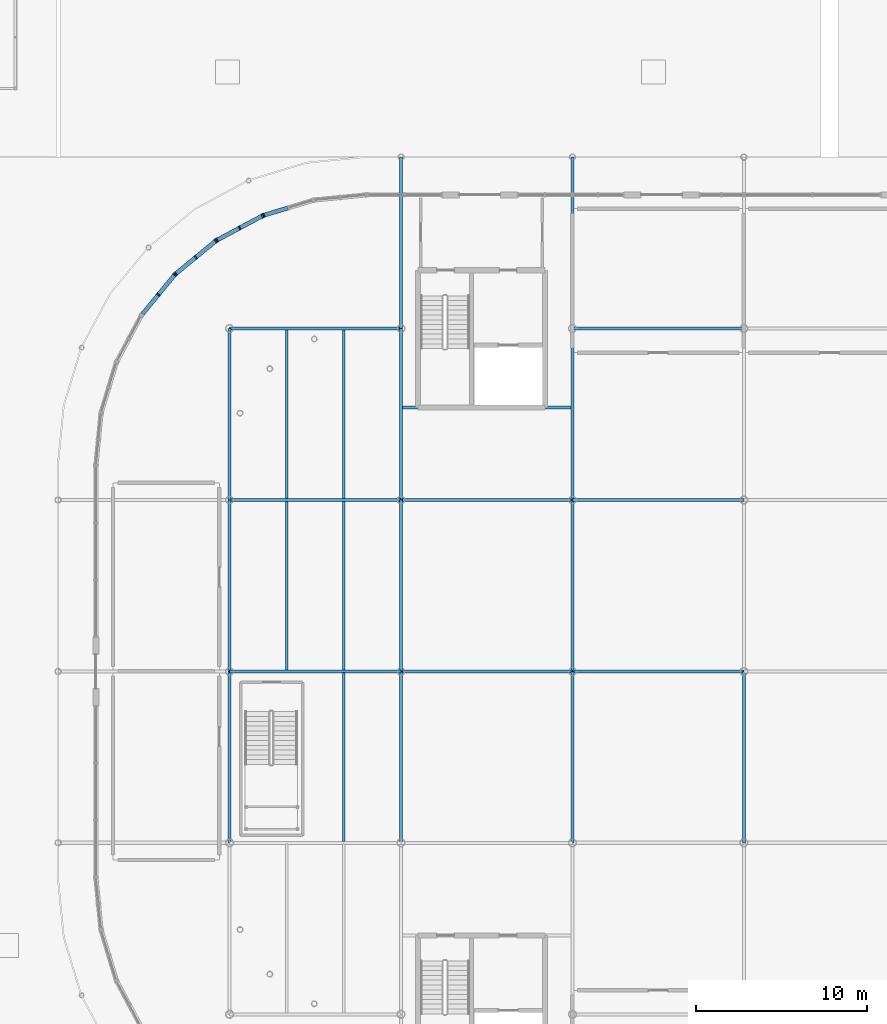
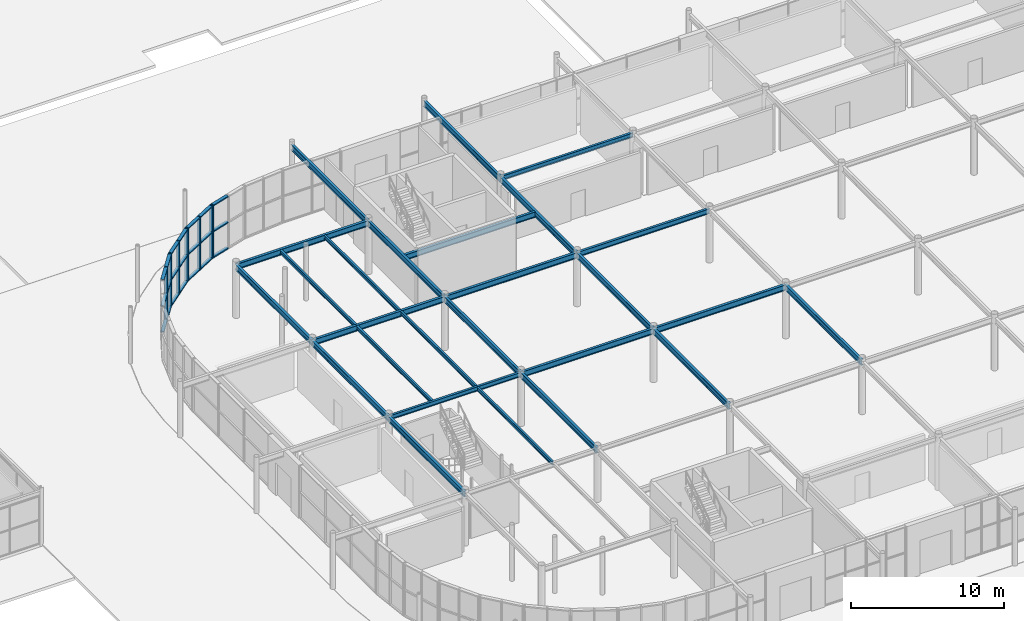
# One storey, part 55 of 119: 30 members, 26 beams, 4 elements without a shape of their own.
"""IFC4 building model written with IfcOpenShell, lengths in metres."""

import ifcopenshell
import ifcopenshell.guid

model = None  # the IFC model being written
_history = None  # IfcOwnerHistory: only IFC2X3 demands one
_inside = {}  # id of a spatial element -> (the spatial element, [elements in it])
_under = {}  # id of a project, library or spatial element -> (it, [spatial elements below it])
_declared = {}  # id of a project -> (the project, [libraries it declares])
_typed = {}  # id of a type object -> (the type object, [elements of that type])
_made_of = {}  # id of a material, layer set ... -> (it, [elements and type objects made of it])


def new_model(schema):
    """Start an empty IFC model of exactly this schema.

    Asked for "IFC4X3", IfcOpenShell would pick the latest addendum, in which some entities
    have other attributes; the version numbers below select the first issue.
    IFC2X3 requires an IfcOwnerHistory on every rooted entity: one is made here for all.
    """
    global model, _history
    if schema == "IFC4X3":
        model = ifcopenshell.file(schema_version=(4, 3, 0, 0))
    else:
        model = ifcopenshell.file(schema=schema)
    _inside.clear()
    _under.clear()
    _declared.clear()
    _typed.clear()
    _made_of.clear()
    _history = None
    if model.schema == "IFC2X3":
        org = make("IfcOrganization", Name="unknown")
        user = make(
            "IfcPersonAndOrganization",
            ThePerson=make("IfcPerson", FamilyName="unknown"),
            TheOrganization=org,
        )
        app = make(
            "IfcApplication",
            ApplicationDeveloper=org,
            Version="unknown",
            ApplicationFullName="unknown",
            ApplicationIdentifier="unknown",
        )
        _history = make(
            "IfcOwnerHistory",
            OwningUser=user,
            OwningApplication=app,
            ChangeAction="ADDED",
            CreationDate=0,
        )
    return model


def make(cls, **values):
    """One entity of the class cls with the attributes given. An attribute that is None is left unset."""
    return model.create_entity(
        cls, **{name: value for name, value in values.items() if value is not None}
    )


def rooted(cls, **values):
    """An entity with a GlobalId (a new one), such as an element, a storey or a relation."""
    return make(cls, GlobalId=ifcopenshell.guid.new(), OwnerHistory=_history, **values)


def si_unit(unit_type, name, prefix=None):
    """IfcSIUnit, for example si_unit("LENGTHUNIT", "METRE", prefix="MILLI")."""
    return make("IfcSIUnit", UnitType=unit_type, Prefix=prefix, Name=name)


def derived_unit(unit_type, elements):
    """IfcDerivedUnit: a product of units, each with its exponent."""
    return make(
        "IfcDerivedUnit",
        Elements=[
            make("IfcDerivedUnitElement", Unit=unit, Exponent=power)
            for unit, power in elements
        ],
        UnitType=unit_type,
    )


def assignment(units):
    """IfcUnitAssignment: the units of a project."""
    return None if units is None else make("IfcUnitAssignment", Units=units)


def point(xyz):
    """IfcCartesianPoint."""
    return None if xyz is None else make("IfcCartesianPoint", Coordinates=xyz)


def direction(xyz):
    """IfcDirection."""
    return None if xyz is None else make("IfcDirection", DirectionRatios=xyz)


def frame(location, z_axis=None, x_axis=None):
    """IfcAxis2Placement3D, a coordinate frame: its origin and axes. An axis left out is left unset."""
    return make(
        "IfcAxis2Placement3D",
        Location=point(location),
        Axis=direction(z_axis),
        RefDirection=direction(x_axis),
    )


def frame_2d(location, x_axis=None):
    """IfcAxis2Placement2D, a coordinate frame in the plane: its origin and x axis."""
    return make(
        "IfcAxis2Placement2D", Location=point(location), RefDirection=direction(x_axis)
    )


def origin():
    """The frame at (0, 0, 0) with its axes left unset."""
    return frame((0.0, 0.0, 0.0))


def origin_2d_with_axis():
    """The frame at (0, 0) in the plane with the x axis (1, 0) written out."""
    return frame_2d((0.0, 0.0), x_axis=(1.0, 0.0))


def place(relative_to, where):
    """IfcLocalPlacement: puts the frame where relative to a parent placement (None: the world)."""
    return make(
        "IfcLocalPlacement", PlacementRelTo=relative_to, RelativePlacement=where
    )


def context(
    kind, dimensions, precision=None, world=None, true_north=None, identifier=None
):
    """IfcGeometricRepresentationContext, for example the 3D "Model" context."""
    return make(
        "IfcGeometricRepresentationContext",
        ContextIdentifier=identifier,
        ContextType=kind,
        CoordinateSpaceDimension=dimensions,
        Precision=precision,
        WorldCoordinateSystem=world,
        TrueNorth=true_north,
    )


def subcontext(parent, identifier, kind, view, scale=None):
    """IfcGeometricRepresentationSubContext, for example "Body" below "Model"."""
    return make(
        "IfcGeometricRepresentationSubContext",
        ContextIdentifier=identifier,
        ContextType=kind,
        ParentContext=parent,
        TargetScale=scale,
        TargetView=view,
    )


def project(units=None, contexts=None):
    """IfcProject with its units and contexts."""
    return rooted(
        "IfcProject",
        Name="project",
        RepresentationContexts=contexts,
        UnitsInContext=assignment(units),
    )


def spatial(cls, under=None, at=None, **own):
    """A site, building, storey or space (cls), placed at a placement, below another one or the project."""
    s = rooted(cls, ObjectPlacement=at, **own)
    if under is not None:
        _under.setdefault(under.id(), (under, []))[1].append(s)
    return s


def profile(cls, at=None, kind="AREA", **sizes):
    """A parametric profile (cls). Its sizes go by their IFC names, for example OverallWidth=200.0."""
    return make(cls, ProfileType=kind, Position=at, **sizes)


def rectangle(**sizes):
    """IfcRectangleProfileDef."""
    return profile("IfcRectangleProfileDef", **sizes)


def i_section(**sizes):
    """IfcIShapeProfileDef."""
    return profile("IfcIShapeProfileDef", **sizes)


def extrude(swept, where, along, depth):
    """IfcExtrudedAreaSolid: the profile swept, set in the frame where, extruded along a direction by depth."""
    return make(
        "IfcExtrudedAreaSolid",
        SweptArea=swept,
        Position=where,
        ExtrudedDirection=direction(along),
        Depth=depth,
    )


def shape(context_of_items, identifier, shape_type, items):
    """IfcShapeRepresentation: the items that make up one representation, for example the "Body"."""
    return make(
        "IfcShapeRepresentation",
        ContextOfItems=context_of_items,
        RepresentationIdentifier=identifier,
        RepresentationType=shape_type,
        Items=items,
    )


def material(Name=None, Category=None):
    """IfcMaterial."""
    return make("IfcMaterial", Name=Name, Category=Category)


def material_profile(
    of_material, cross_section, Name=None, Category=None, Priority=None
):
    """IfcMaterialProfile: a cross section and its material."""
    return make(
        "IfcMaterialProfile",
        Name=Name,
        Material=of_material,
        Profile=cross_section,
        Priority=Priority,
        Category=Category,
    )


def profile_set(profiles, Name=None, composite=None):
    """IfcMaterialProfileSet."""
    return make(
        "IfcMaterialProfileSet",
        Name=Name,
        MaterialProfiles=profiles,
        CompositeProfile=composite,
    )


def made_of(thing, what):
    """Note that an element or type object is made of a material, layer set ...; save() writes the relation."""
    if what is not None:
        _made_of.setdefault(what.id(), (what, []))[1].append(thing)
    return thing


def type_object(cls, material=None, **own):
    """A type object (cls), such as IfcWallType, which elements share."""
    return made_of(rooted(cls, **own), material)


def element(
    cls,
    number,
    at=None,
    inside=None,
    cuts=None,
    type_object=None,
    material=None,
    context=None,
    identifier="Body",
    shape_type=None,
    held_by="IfcProductDefinitionShape",
    body=None,
    shapes=None,
    **own,
):
    """One element of the class cls, such as IfcWall. Its Tag is "e" and its number.

    at: its placement. inside: the storey or other place that contains it. cuts: it is an
    opening in that element (IfcRelVoidsElement). A single representation is given by context,
    identifier, shape_type and body (its items); several are given by shapes. held_by: the class
    of the entity that holds the representations. save() writes the other relations.
    """
    e = rooted(cls, Tag="e%d" % number, ObjectPlacement=at, **own)
    if body is not None:
        shapes = [shape(context, identifier, shape_type, body)]
    if shapes is not None:
        e.Representation = make(held_by, Representations=shapes)
    if inside is not None:
        _inside.setdefault(inside.id(), (inside, []))[1].append(e)
    if cuts is not None:
        rooted(
            "IfcRelVoidsElement", RelatingBuildingElement=cuts, RelatedOpeningElement=e
        )
    if type_object is not None:
        _typed.setdefault(type_object.id(), (type_object, []))[1].append(e)
    return made_of(e, material)


def aggregate(whole, parts):
    """IfcRelAggregates: a whole, such as a stair, and the parts it consists of."""
    return rooted("IfcRelAggregates", RelatingObject=whole, RelatedObjects=parts)


def save(model, path):
    """Write the relations noted so far, then the file.

    IfcRelAggregates (storeys below a building ...), IfcRelContainedInSpatialStructure (elements
    in a storey), IfcRelDefinesByType, IfcRelAssociatesMaterial and IfcRelDeclares: one each for
    every whole, place, type object, material and project.
    """
    for whole, parts in _under.values():
        aggregate(whole, parts)
    for where, things in _inside.values():
        rooted(
            "IfcRelContainedInSpatialStructure",
            RelatedElements=things,
            RelatingStructure=where,
        )
    for kind, things in _typed.values():
        rooted("IfcRelDefinesByType", RelatedObjects=things, RelatingType=kind)
    for what, things in _made_of.values():
        rooted("IfcRelAssociatesMaterial", RelatedObjects=things, RelatingMaterial=what)
    for by, libraries in _declared.values():
        rooted("IfcRelDeclares", RelatingContext=by, RelatedDefinitions=libraries)
    model.write(path)


model = new_model("IFC4")

# Units and contexts
model_context = context("Model", 3, precision=1e-05, world=origin(), true_north=direction((0.0, 1.0)))
body_context = subcontext(model_context, "Body", "Model", "MODEL_VIEW")
ifc_project = project(units=[si_unit("LENGTHUNIT", "METRE"), si_unit("AREAUNIT", "SQUARE_METRE"), si_unit("VOLUMEUNIT", "CUBIC_METRE"), si_unit("PLANEANGLEUNIT", "RADIAN"), si_unit("MASSUNIT", "GRAM", prefix="KILO"), derived_unit("THERMALTRANSMITTANCEUNIT", [(si_unit("POWERUNIT", "WATT"), 1), (si_unit("LENGTHUNIT", "METRE"), -2), (si_unit("THERMODYNAMICTEMPERATUREUNIT", "KELVIN"), -1)])], contexts=[model_context])

# Site, building, storey
site_placement = place(None, origin())
site = spatial("IfcSite", under=ifc_project, at=site_placement, CompositionType="ELEMENT")
building_placement = place(site_placement, origin())
building = spatial("IfcBuilding", under=site, at=building_placement, Name="Cinnabar Yard Market Hall", CompositionType="ELEMENT")
storey_placement = place(building_placement, origin())
storey = spatial("IfcBuildingStorey", under=building, at=storey_placement, Name="L00", CompositionType="ELEMENT", Elevation=0.0)

# Beams
ifc_material_1 = material(Name="Steel Grade 300 (300 MPa)", Category="steel")
ifc_material_profile_1 = material_profile(ifc_material_1, i_section(OverallWidth=0.19091796875, OverallDepth=0.46044921875, WebThickness=0.010009765625, FlangeThickness=0.01611328125, FilletRadius=0.011474609375, at=origin_2d_with_axis()), Name="460UB82.1")
ifc_profile_set_1 = profile_set([ifc_material_profile_1], Name="Steel Grade 300 (300 MPa)")
beam_type_1 = type_object("IfcBeamType", Name="BM-B04", PredefinedType="BEAM", material=ifc_profile_set_1)
for number, where, z_axis, x_axis, name in (
    (1, (76.0, 64.0, 4.009765625), (1.0, 0.0, 0.0), (0.0, 1.0, 0.0), "L00 Gallery Girder X 00150"),
    (2, (86.0, 54.0, 4.009765625), (1.0, 0.0, 0.0), (0.0, 1.0, 0.0), "L00 Gallery Girder X 00153"),
    (3, (96.0, 44.0, 4.009765625), (1.0, 0.0, 0.0), (0.0, 1.0, 0.0), "L00 Gallery Girder X 00156"),
):
    element("IfcBeam", number, at=place(storey_placement, frame(where, z_axis=z_axis, x_axis=x_axis)), inside=storey, type_object=beam_type_1, Name=name, PredefinedType="BEAM", context=body_context, shape_type="SweptSolid", body=[
        extrude(i_section(OverallWidth=0.19091796875, OverallDepth=0.46044921875, WebThickness=0.010009765625, FlangeThickness=0.01611328125, FilletRadius=0.011474609375, at=origin_2d_with_axis()), origin(), (0.0, 0.0, 1.0), 10.0),
    ])
ifc_material_profile_2 = material_profile(ifc_material_1, i_section(OverallWidth=0.18994140625, OverallDepth=0.453857421875, WebThickness=0.008544921875, FlangeThickness=0.0126953125, FilletRadius=0.011474609375, at=origin_2d_with_axis()), Name="460UB67.1")
ifc_profile_set_2 = profile_set([ifc_material_profile_2], Name="Steel Grade 300 (300 MPa)")
beam_type_2 = type_object("IfcBeamType", Name="BM-B05", PredefinedType="BEAM", material=ifc_profile_set_2)
beam_1_placement = place(storey_placement, frame((86.080078125, 59.39990234375, 4.01318359375), z_axis=(1.0, 0.0, 0.0), x_axis=(0.0, 1.0, 0.0)))
element("IfcBeam", 4, at=beam_1_placement, inside=storey, type_object=beam_type_2, Name="L00 Core Trimmer Girder 00138", PredefinedType="BEAM", context=body_context, shape_type="SweptSolid", body=[
    extrude(i_section(OverallWidth=0.18994140625, OverallDepth=0.453857421875, WebThickness=0.008544921875, FlangeThickness=0.0126953125, FilletRadius=0.011474609375, at=origin_2d_with_axis()), origin(), (0.0, 0.0, 1.0), 9.83984375),
])
for number, where, z_axis, x_axis, name in (
    (5, (76.0, 34.0, 4.01318359375), (0.0, 1.0, 0.0), (-1.0, 0.0, 0.0), "L00 Gallery Girder Y 00205"),
    (6, (76.0, 44.0, 4.01318359375), (0.0, 1.0, 0.0), (-1.0, 0.0, 0.0), "L00 Gallery Girder Y 00207"),
    (7, (76.0, 54.0, 4.01318359375), (0.0, 1.0, 0.0), (-1.0, 0.0, 0.0), "L00 Gallery Girder Y 00210"),
    (8, (86.0, 34.0, 4.01318359375), (0.0, 1.0, 0.0), (-1.0, 0.0, 0.0), "L00 Gallery Girder Y 00214"),
    (9, (86.0, 44.0, 4.01318359375), (0.0, 1.0, 0.0), (-1.0, 0.0, 0.0), "L00 Gallery Girder Y 00215"),
    (10, (86.0, 54.0, 4.01318359375), (0.0, 1.0, 0.0), (-1.0, 0.0, 0.0), "L00 Gallery Girder Y 00216"),
    (11, (96.0, 34.0, 4.01318359375), (0.0, 1.0, 0.0), (-1.0, 0.0, 0.0), "L00 Gallery Girder Y 00218"),
    (12, (96.0, 44.0, 4.01318359375), (0.0, 1.0, 0.0), (-1.0, 0.0, 0.0), "L00 Gallery Girder Y 00219"),
    (13, (96.0, 54.0, 4.01318359375), (0.0, 1.0, 0.0), (-1.0, 0.0, 0.0), "L00 Gallery Girder Y 00220"),
    (14, (106.0, 34.0, 4.01318359375), (0.0, 1.0, 0.0), (-1.0, 0.0, 0.0), "L00 Gallery Girder Y 00222"),
):
    element("IfcBeam", number, at=place(storey_placement, frame(where, z_axis=z_axis, x_axis=x_axis)), inside=storey, type_object=beam_type_2, Name=name, PredefinedType="BEAM", context=body_context, shape_type="SweptSolid", body=[
        extrude(i_section(OverallWidth=0.18994140625, OverallDepth=0.453857421875, WebThickness=0.008544921875, FlangeThickness=0.0126953125, FilletRadius=0.011474609375, at=origin_2d_with_axis()), origin(), (0.0, 0.0, 1.0), 10.0),
    ])
ifc_material_profile_3 = material_profile(ifc_material_1, i_section(OverallWidth=0.18994140625, OverallDepth=0.453857421875, WebThickness=0.008544921875, FlangeThickness=0.0126953125, FilletRadius=0.011474609375, at=origin_2d_with_axis()), Name="460UB67.1")
ifc_profile_set_3 = profile_set([ifc_material_profile_3], Name="Steel Grade 300 (300 MPa)")
beam_type_3 = type_object("IfcBeamType", Name="BM-B05E", PredefinedType="BEAM", material=ifc_profile_set_3)
for number, where, z_axis, x_axis, name in (
    (15, (86.0, 64.0, 4.01318359375), (0.0, 1.0, 0.0), (-1.0, 0.0, 0.0), "L00 Gallery North Tie 00183"),
    (16, (96.0, 64.0, 4.01318359375), (0.0, 1.0, 0.0), (-1.0, 0.0, 0.0), "L00 Gallery North Tie 00185"),
):
    element("IfcBeam", number, at=place(storey_placement, frame(where, z_axis=z_axis, x_axis=x_axis)), inside=storey, type_object=beam_type_3, Name=name, PredefinedType="BEAM", context=body_context, shape_type="SweptSolid", body=[
        extrude(i_section(OverallWidth=0.18994140625, OverallDepth=0.453857421875, WebThickness=0.008544921875, FlangeThickness=0.0126953125, FilletRadius=0.011474609375, at=origin_2d_with_axis()), origin(), (0.0, 0.0, 1.0), 10.0),
    ])
ifc_material_profile_4 = material_profile(ifc_material_1, i_section(OverallWidth=0.177978515625, OverallDepth=0.402587890625, WebThickness=0.007568359375, FlangeThickness=0.010986328125, FilletRadius=0.011474609375, at=origin_2d_with_axis()), Name="410UB53.7")
ifc_profile_set_4 = profile_set([ifc_material_profile_4], Name="Steel Grade 300 (300 MPa)")
beam_type_4 = type_object("IfcBeamType", Name="BM-B09", PredefinedType="BEAM", material=ifc_profile_set_4)
beam_2_placement = place(storey_placement, frame((96.0, 54.0, 4.038818359375), z_axis=(1.0, 0.0, 0.0), x_axis=(0.0, 1.0, 0.0)))
element("IfcBeam", 17, at=beam_2_placement, inside=storey, type_object=beam_type_4, Name="L00 Gallery Girder X 00157", PredefinedType="BEAM", context=body_context, shape_type="SweptSolid", body=[
    extrude(i_section(OverallWidth=0.177978515625, OverallDepth=0.402587890625, WebThickness=0.007568359375, FlangeThickness=0.010986328125, FilletRadius=0.011474609375, at=origin_2d_with_axis()), origin(), (0.0, 0.0, 1.0), 10.0),
])
ifc_material_profile_5 = material_profile(ifc_material_1, i_section(OverallWidth=0.1708984375, OverallDepth=0.355712890625, WebThickness=0.00732421875, FlangeThickness=0.011474609375, FilletRadius=0.011474609375, at=origin_2d_with_axis()), Name="360UB50.7")
ifc_profile_set_5 = profile_set([ifc_material_profile_5], Name="Steel Grade 300 (300 MPa)")
beam_type_5 = type_object("IfcBeamType", Name="BM-B10", PredefinedType="BEAM", material=ifc_profile_set_5)
beam_3_placement = place(storey_placement, frame((96.0, 64.0, 4.062255859375), z_axis=(1.0, 0.0, 0.0), x_axis=(0.0, 1.0, 0.0)))
element("IfcBeam", 18, at=beam_3_placement, inside=storey, type_object=beam_type_5, Name="L00 Gallery Girder X 00158", PredefinedType="BEAM", context=body_context, shape_type="SweptSolid", body=[
    extrude(i_section(OverallWidth=0.1708984375, OverallDepth=0.355712890625, WebThickness=0.00732421875, FlangeThickness=0.011474609375, FilletRadius=0.011474609375, at=origin_2d_with_axis()), origin(), (0.0, 0.0, 1.0), 10.0),
])
ifc_material_profile_6 = material_profile(ifc_material_1, i_section(OverallWidth=0.1708984375, OverallDepth=0.35205078125, WebThickness=0.0068359375, FlangeThickness=0.009765625, FilletRadius=0.011474609375, at=origin_2d_with_axis()), Name="360UB44.7")
ifc_profile_set_6 = profile_set([ifc_material_profile_6], Name="Steel Grade 300 (300 MPa)")
beam_type_6 = type_object("IfcBeamType", Name="BM-B11", PredefinedType="BEAM", material=ifc_profile_set_6)
beam_4_placement = place(storey_placement, frame((76.0, 44.0, 4.06396484375), z_axis=(1.0, 0.0, 0.0), x_axis=(0.0, 1.0, 0.0)))
element("IfcBeam", 19, at=beam_4_placement, inside=storey, type_object=beam_type_6, Name="L00 Gallery Girder X 00148", PredefinedType="BEAM", context=body_context, shape_type="SweptSolid", body=[
    extrude(i_section(OverallWidth=0.1708984375, OverallDepth=0.35205078125, WebThickness=0.0068359375, FlangeThickness=0.009765625, FilletRadius=0.011474609375, at=origin_2d_with_axis()), origin(), (0.0, 0.0, 1.0), 10.0),
])
ifc_material_profile_7 = material_profile(ifc_material_1, i_section(OverallWidth=0.18994140625, OverallDepth=0.453857421875, WebThickness=0.008544921875, FlangeThickness=0.0126953125, FilletRadius=0.011474609375, at=origin_2d_with_axis()), Name="460UB67.1")
ifc_profile_set_7 = profile_set([ifc_material_profile_7], Name="Steel Grade 300 (300 MPa)")
beam_type_7 = type_object("IfcBeamType", Name="BM-B14", PredefinedType="BEAM", material=ifc_profile_set_7)
for number, where, z_axis, x_axis, name in (
    (20, (76.0, 54.0, 4.01318359375), (1.0, 0.0, 0.0), (0.0, 1.0, 0.0), "L00 Gallery Girder X 00149"),
    (21, (86.0, 44.0, 4.01318359375), (1.0, 0.0, 0.0), (0.0, 1.0, 0.0), "L00 Gallery Girder X 00152"),
):
    element("IfcBeam", number, at=place(storey_placement, frame(where, z_axis=z_axis, x_axis=x_axis)), inside=storey, type_object=beam_type_7, Name=name, PredefinedType="BEAM", context=body_context, shape_type="SweptSolid", body=[
        extrude(i_section(OverallWidth=0.18994140625, OverallDepth=0.453857421875, WebThickness=0.008544921875, FlangeThickness=0.0126953125, FilletRadius=0.011474609375, at=origin_2d_with_axis()), origin(), (0.0, 0.0, 1.0), 10.0),
    ])
ifc_material_profile_8 = material_profile(ifc_material_1, i_section(OverallWidth=0.14892578125, OverallDepth=0.298095703125, WebThickness=0.005615234375, FlangeThickness=0.008056640625, FilletRadius=0.0087890625, at=origin_2d_with_axis()), Name="310UB32.0")
ifc_profile_set_8 = profile_set([ifc_material_profile_8], Name="Steel Grade 300 (300 MPa)")
beam_type_8 = type_object("IfcBeamType", Name="BM-J02", PredefinedType="JOIST", material=ifc_profile_set_8)
for number, where, z_axis, x_axis, name in (
    (22, (82.669921875, 34.074951171875, 4.091064453125), (0.0, 1.0, 0.0), (-1.0, 0.0, 0.0), "L00 Gallery Joist 00206"),
    (23, (79.330078125, 44.074951171875, 4.091064453125), (0.0, 1.0, 0.0), (-1.0, 0.0, 0.0), "L00 Gallery Joist 00208"),
    (24, (82.669921875, 44.074951171875, 4.091064453125), (0.0, 1.0, 0.0), (-1.0, 0.0, 0.0), "L00 Gallery Joist 00209"),
    (25, (79.330078125, 54.074951171875, 4.091064453125), (0.0, 1.0, 0.0), (-1.0, 0.0, 0.0), "L00 Gallery Joist 00211"),
    (26, (82.669921875, 54.074951171875, 4.091064453125), (0.0, 1.0, 0.0), (-1.0, 0.0, 0.0), "L00 Gallery Joist 00212"),
):
    element("IfcBeam", number, at=place(storey_placement, frame(where, z_axis=z_axis, x_axis=x_axis)), inside=storey, type_object=beam_type_8, Name=name, PredefinedType="JOIST", context=body_context, shape_type="SweptSolid", body=[
        extrude(i_section(OverallWidth=0.14892578125, OverallDepth=0.298095703125, WebThickness=0.005615234375, FlangeThickness=0.008056640625, FilletRadius=0.0087890625, at=origin_2d_with_axis()), origin(), (0.0, 0.0, 1.0), 9.85009765625),
    ])

# Curtain wall, member
ifc_material_2 = material(Name="Anodised bronze aluminium curved-chord facade", Category="aluminium")
curtain_wall_type = type_object("IfcCurtainWallType", Name="CW-CWC031x42", PredefinedType="NOTDEFINED", material=ifc_material_2)
curtain_wall_1_placement = place(storey_placement, origin())
curtain_wall_1 = element("IfcCurtainWall", 27, at=curtain_wall_1_placement, inside=storey, type_object=curtain_wall_type, Name="Corner NW Chord 2 L00", PredefinedType="NOTDEFINED")
ifc_material_3 = material(Name="Anodised bronze aluminium", Category="aluminium")
ifc_material_profile_9 = material_profile(ifc_material_3, rectangle(XDim=0.239990234375, YDim=0.090087890625, at=origin_2d_with_axis()), Name="MUL-CWC")
ifc_profile_set_9 = profile_set([ifc_material_profile_9], Name="Anodised bronze aluminium")
member_type_1 = type_object("IfcMemberType", Name="CWM-CWC", PredefinedType="MULLION", material=ifc_profile_set_9)
member_1_placement = place(storey_placement, frame((77.99658203125, 70.6103515625, 0.0), z_axis=(0.0, 0.0, 1.0), x_axis=(0.290278891325, -0.956942090856, 0.0)))
member_1 = element("IfcMember", 28, at=member_1_placement, type_object=member_type_1, Name="CWC031x42 mullion 3", PredefinedType="MULLION", context=body_context, shape_type="SweptSolid", body=[
    extrude(rectangle(XDim=0.239990234375, YDim=0.090087890625, at=origin_2d_with_axis()), origin(), (0.0, 0.0, 1.0), 4.239990234375),
])

# Curtain wall, members
curtain_wall_2_placement = place(storey_placement, origin())
curtain_wall_2 = element("IfcCurtainWall", 29, at=curtain_wall_2_placement, inside=storey, type_object=curtain_wall_type, Name="Corner NW Chord 3 L00", PredefinedType="NOTDEFINED")
member_2_placement = place(storey_placement, frame((77.913818359375, 70.576171875, 0.0), z_axis=(0.0, 0.0, 1.0), x_axis=(0.471404114786, -0.881917320707, 0.0)))
member_2 = element("IfcMember", 30, at=member_2_placement, type_object=member_type_1, Name="CWC031x42 mullion 1", PredefinedType="MULLION", context=body_context, shape_type="SweptSolid", body=[
    extrude(rectangle(XDim=0.239990234375, YDim=0.090087890625, at=origin_2d_with_axis()), origin(), (0.0, 0.0, 1.0), 4.239990234375),
])
member_3_placement = place(storey_placement, frame((76.587890625, 69.8671875, 0.0), z_axis=(0.0, 0.0, 1.0), x_axis=(0.471404114786, -0.881917320707, 0.0)))
member_3 = element("IfcMember", 31, at=member_3_placement, type_object=member_type_1, Name="CWC031x42 mullion 2", PredefinedType="MULLION", context=body_context, shape_type="SweptSolid", body=[
    extrude(rectangle(XDim=0.239990234375, YDim=0.090087890625, at=origin_2d_with_axis()), origin(), (0.0, 0.0, 1.0), 4.239990234375),
])
member_4_placement = place(storey_placement, frame((75.26171875, 69.158447265625, 0.0), z_axis=(0.0, 0.0, 1.0), x_axis=(0.471404114786, -0.881917320707, 0.0)))
member_4 = element("IfcMember", 32, at=member_4_placement, type_object=member_type_1, Name="CWC031x42 mullion 3", PredefinedType="MULLION", context=body_context, shape_type="SweptSolid", body=[
    extrude(rectangle(XDim=0.239990234375, YDim=0.090087890625, at=origin_2d_with_axis()), origin(), (0.0, 0.0, 1.0), 4.239990234375),
])

curtain_wall_3_placement = place(storey_placement, origin())
curtain_wall_3 = element("IfcCurtainWall", 33, at=curtain_wall_3_placement, inside=storey, type_object=curtain_wall_type, Name="Corner NW Chord 4 L00", PredefinedType="NOTDEFINED")
member_5_placement = place(storey_placement, frame((75.187255859375, 69.108642578125, 0.0), z_axis=(0.0, 0.0, 1.0), x_axis=(0.634383400924, -0.773018564222, 0.0)))
member_5 = element("IfcMember", 34, at=member_5_placement, type_object=member_type_1, Name="CWC031x42 mullion 1", PredefinedType="MULLION", context=body_context, shape_type="SweptSolid", body=[
    extrude(rectangle(XDim=0.239990234375, YDim=0.090087890625, at=origin_2d_with_axis()), origin(), (0.0, 0.0, 1.0), 4.239990234375),
])
member_6_placement = place(storey_placement, frame((74.02490234375, 68.15478515625, 0.0), z_axis=(0.0, 0.0, 1.0), x_axis=(0.634383400924, -0.773018564222, 0.0)))
member_6 = element("IfcMember", 35, at=member_6_placement, type_object=member_type_1, Name="CWC031x42 mullion 2", PredefinedType="MULLION", context=body_context, shape_type="SweptSolid", body=[
    extrude(rectangle(XDim=0.239990234375, YDim=0.090087890625, at=origin_2d_with_axis()), origin(), (0.0, 0.0, 1.0), 4.239990234375),
])
member_7_placement = place(storey_placement, frame((72.862548828125, 67.200927734375, 0.0), z_axis=(0.0, 0.0, 1.0), x_axis=(0.634383400924, -0.773018564222, 0.0)))
member_7 = element("IfcMember", 36, at=member_7_placement, type_object=member_type_1, Name="CWC031x42 mullion 3", PredefinedType="MULLION", context=body_context, shape_type="SweptSolid", body=[
    extrude(rectangle(XDim=0.239990234375, YDim=0.090087890625, at=origin_2d_with_axis()), origin(), (0.0, 0.0, 1.0), 4.239990234375),
])

curtain_wall_4_placement = place(storey_placement, origin())
curtain_wall_4 = element("IfcCurtainWall", 37, at=curtain_wall_4_placement, inside=storey, type_object=curtain_wall_type, Name="Corner NW Chord 5 L00", PredefinedType="NOTDEFINED")
member_8_placement = place(storey_placement, frame((72.799072265625, 67.137451171875, 0.0), z_axis=(0.0, 0.0, 1.0), x_axis=(0.773018564222, -0.634383400924, 0.0)))
member_8 = element("IfcMember", 38, at=member_8_placement, type_object=member_type_1, Name="CWC031x42 mullion 1", PredefinedType="MULLION", context=body_context, shape_type="SweptSolid", body=[
    extrude(rectangle(XDim=0.239990234375, YDim=0.090087890625, at=origin_2d_with_axis()), origin(), (0.0, 0.0, 1.0), 4.239990234375),
])
member_9_placement = place(storey_placement, frame((71.84521484375, 65.97509765625, 0.0), z_axis=(0.0, 0.0, 1.0), x_axis=(0.773018564222, -0.634383400924, 0.0)))
member_9 = element("IfcMember", 39, at=member_9_placement, type_object=member_type_1, Name="CWC031x42 mullion 2", PredefinedType="MULLION", context=body_context, shape_type="SweptSolid", body=[
    extrude(rectangle(XDim=0.239990234375, YDim=0.090087890625, at=origin_2d_with_axis()), origin(), (0.0, 0.0, 1.0), 4.239990234375),
])

# Member
ifc_material_profile_10 = material_profile(ifc_material_3, rectangle(XDim=0.239990234375, YDim=0.090087890625, at=origin_2d_with_axis()), Name="TRN-CWC")
ifc_profile_set_10 = profile_set([ifc_material_profile_10], Name="Anodised bronze aluminium")
member_type_2 = type_object("IfcMemberType", Name="CWT-CWC", PredefinedType="USERDEFINED", material=ifc_profile_set_10)
member_10_placement = place(storey_placement, frame((79.392578125, 71.03369140625, 0.044921875), z_axis=(-0.956980816915, -0.290151195166, 0.0), x_axis=(0.290151195166, -0.956980816915, 0.0)))
member_10 = element("IfcMember", 40, at=member_10_placement, type_object=member_type_2, Name="CWC031x42 transom 2.1", ObjectType="TRANSOM", PredefinedType="USERDEFINED", context=body_context, shape_type="SweptSolid", body=[
    extrude(rectangle(XDim=0.239990234375, YDim=0.090087890625, at=origin_2d_with_axis()), origin(), (0.0, 0.0, 1.0), 1.41357421875),
])

member_11_placement = place(storey_placement, frame((79.392578125, 71.03369140625, 2.1201171875), z_axis=(-0.956980816915, -0.290151195166, 0.0), x_axis=(0.290151195166, -0.956980816915, 0.0)))
member_11 = element("IfcMember", 41, at=member_11_placement, type_object=member_type_2, Name="CWC031x42 transom 2.2", ObjectType="TRANSOM", PredefinedType="USERDEFINED", context=body_context, shape_type="SweptSolid", body=[
    extrude(rectangle(XDim=0.239990234375, YDim=0.090087890625, at=origin_2d_with_axis()), origin(), (0.0, 0.0, 1.0), 1.41357421875),
])

member_12_placement = place(storey_placement, frame((79.392578125, 71.03369140625, 4.195068359375), z_axis=(-0.956980816915, -0.290151195166, 0.0), x_axis=(0.290151195166, -0.956980816915, 0.0)))
member_12 = element("IfcMember", 42, at=member_12_placement, type_object=member_type_2, Name="CWC031x42 transom 2.3", ObjectType="TRANSOM", PredefinedType="USERDEFINED", context=body_context, shape_type="SweptSolid", body=[
    extrude(rectangle(XDim=0.239990234375, YDim=0.090087890625, at=origin_2d_with_axis()), origin(), (0.0, 0.0, 1.0), 1.41357421875),
])

aggregate(curtain_wall_1, [member_1, member_10, member_11, member_12])

member_13_placement = place(storey_placement, frame((77.874267578125, 70.554931640625, 0.044921875), z_axis=(-0.881903198965, -0.471430533224, 0.0), x_axis=(0.471430533224, -0.881903198965, 0.0)))
member_13 = element("IfcMember", 43, at=member_13_placement, type_object=member_type_2, Name="CWC031x42 transom 1.1", ObjectType="TRANSOM", PredefinedType="USERDEFINED", context=body_context, shape_type="SweptSolid", body=[
    extrude(rectangle(XDim=0.239990234375, YDim=0.090087890625, at=origin_2d_with_axis()), origin(), (0.0, 0.0, 1.0), 1.413818359375),
])

member_14_placement = place(storey_placement, frame((77.874267578125, 70.554931640625, 2.1201171875), z_axis=(-0.881903198965, -0.471430533224, 0.0), x_axis=(0.471430533224, -0.881903198965, 0.0)))
member_14 = element("IfcMember", 44, at=member_14_placement, type_object=member_type_2, Name="CWC031x42 transom 1.2", ObjectType="TRANSOM", PredefinedType="USERDEFINED", context=body_context, shape_type="SweptSolid", body=[
    extrude(rectangle(XDim=0.239990234375, YDim=0.090087890625, at=origin_2d_with_axis()), origin(), (0.0, 0.0, 1.0), 1.413818359375),
])

member_15_placement = place(storey_placement, frame((77.874267578125, 70.554931640625, 4.195068359375), z_axis=(-0.881903198965, -0.471430533224, 0.0), x_axis=(0.471430533224, -0.881903198965, 0.0)))
member_15 = element("IfcMember", 45, at=member_15_placement, type_object=member_type_2, Name="CWC031x42 transom 1.3", ObjectType="TRANSOM", PredefinedType="USERDEFINED", context=body_context, shape_type="SweptSolid", body=[
    extrude(rectangle(XDim=0.239990234375, YDim=0.090087890625, at=origin_2d_with_axis()), origin(), (0.0, 0.0, 1.0), 1.413818359375),
])

member_16_placement = place(storey_placement, frame((76.548095703125, 69.845947265625, 0.044921875), z_axis=(-0.881974989496, -0.471296210365, 0.0), x_axis=(0.471296210365, -0.881974989496, 0.0)))
member_16 = element("IfcMember", 46, at=member_16_placement, type_object=member_type_2, Name="CWC031x42 transom 2.1", ObjectType="TRANSOM", PredefinedType="USERDEFINED", context=body_context, shape_type="SweptSolid", body=[
    extrude(rectangle(XDim=0.239990234375, YDim=0.090087890625, at=origin_2d_with_axis()), origin(), (0.0, 0.0, 1.0), 1.41357421875),
])

member_17_placement = place(storey_placement, frame((76.548095703125, 69.845947265625, 2.1201171875), z_axis=(-0.881974989496, -0.471296210365, 0.0), x_axis=(0.471296210365, -0.881974989496, 0.0)))
member_17 = element("IfcMember", 47, at=member_17_placement, type_object=member_type_2, Name="CWC031x42 transom 2.2", ObjectType="TRANSOM", PredefinedType="USERDEFINED", context=body_context, shape_type="SweptSolid", body=[
    extrude(rectangle(XDim=0.239990234375, YDim=0.090087890625, at=origin_2d_with_axis()), origin(), (0.0, 0.0, 1.0), 1.41357421875),
])

member_18_placement = place(storey_placement, frame((76.548095703125, 69.845947265625, 4.195068359375), z_axis=(-0.881974989496, -0.471296210365, 0.0), x_axis=(0.471296210365, -0.881974989496, 0.0)))
member_18 = element("IfcMember", 48, at=member_18_placement, type_object=member_type_2, Name="CWC031x42 transom 2.3", ObjectType="TRANSOM", PredefinedType="USERDEFINED", context=body_context, shape_type="SweptSolid", body=[
    extrude(rectangle(XDim=0.239990234375, YDim=0.090087890625, at=origin_2d_with_axis()), origin(), (0.0, 0.0, 1.0), 1.41357421875),
])

aggregate(curtain_wall_2, [member_2, member_3, member_4, member_13, member_14, member_15, member_16, member_17, member_18])

member_19_placement = place(storey_placement, frame((75.15234375, 69.080078125, 0.044921875), z_axis=(-0.773040795861, -0.634356309919, 0.0), x_axis=(0.634356309919, -0.773040795861, 0.0)))
member_19 = element("IfcMember", 49, at=member_19_placement, type_object=member_type_2, Name="CWC031x42 transom 1.1", ObjectType="TRANSOM", PredefinedType="USERDEFINED", context=body_context, shape_type="SweptSolid", body=[
    extrude(rectangle(XDim=0.239990234375, YDim=0.090087890625, at=origin_2d_with_axis()), origin(), (0.0, 0.0, 1.0), 1.41357421875),
])

member_20_placement = place(storey_placement, frame((75.15234375, 69.080078125, 2.1201171875), z_axis=(-0.773040795861, -0.634356309919, 0.0), x_axis=(0.634356309919, -0.773040795861, 0.0)))
member_20 = element("IfcMember", 50, at=member_20_placement, type_object=member_type_2, Name="CWC031x42 transom 1.2", ObjectType="TRANSOM", PredefinedType="USERDEFINED", context=body_context, shape_type="SweptSolid", body=[
    extrude(rectangle(XDim=0.239990234375, YDim=0.090087890625, at=origin_2d_with_axis()), origin(), (0.0, 0.0, 1.0), 1.41357421875),
])

member_21_placement = place(storey_placement, frame((75.15234375, 69.080078125, 4.195068359375), z_axis=(-0.773040795861, -0.634356309919, 0.0), x_axis=(0.634356309919, -0.773040795861, 0.0)))
member_21 = element("IfcMember", 51, at=member_21_placement, type_object=member_type_2, Name="CWC031x42 transom 1.3", ObjectType="TRANSOM", PredefinedType="USERDEFINED", context=body_context, shape_type="SweptSolid", body=[
    extrude(rectangle(XDim=0.239990234375, YDim=0.090087890625, at=origin_2d_with_axis()), origin(), (0.0, 0.0, 1.0), 1.41357421875),
])

member_22_placement = place(storey_placement, frame((73.989990234375, 68.126220703125, 0.044921875), z_axis=(-0.773040795861, -0.634356309919, 0.0), x_axis=(0.634356309919, -0.773040795861, 0.0)))
member_22 = element("IfcMember", 52, at=member_22_placement, type_object=member_type_2, Name="CWC031x42 transom 2.1", ObjectType="TRANSOM", PredefinedType="USERDEFINED", context=body_context, shape_type="SweptSolid", body=[
    extrude(rectangle(XDim=0.239990234375, YDim=0.090087890625, at=origin_2d_with_axis()), origin(), (0.0, 0.0, 1.0), 1.41357421875),
])

member_23_placement = place(storey_placement, frame((73.989990234375, 68.126220703125, 2.1201171875), z_axis=(-0.773040795861, -0.634356309919, 0.0), x_axis=(0.634356309919, -0.773040795861, 0.0)))
member_23 = element("IfcMember", 53, at=member_23_placement, type_object=member_type_2, Name="CWC031x42 transom 2.2", ObjectType="TRANSOM", PredefinedType="USERDEFINED", context=body_context, shape_type="SweptSolid", body=[
    extrude(rectangle(XDim=0.239990234375, YDim=0.090087890625, at=origin_2d_with_axis()), origin(), (0.0, 0.0, 1.0), 1.41357421875),
])

member_24_placement = place(storey_placement, frame((73.989990234375, 68.126220703125, 4.195068359375), z_axis=(-0.773040795861, -0.634356309919, 0.0), x_axis=(0.634356309919, -0.773040795861, 0.0)))
member_24 = element("IfcMember", 54, at=member_24_placement, type_object=member_type_2, Name="CWC031x42 transom 2.3", ObjectType="TRANSOM", PredefinedType="USERDEFINED", context=body_context, shape_type="SweptSolid", body=[
    extrude(rectangle(XDim=0.239990234375, YDim=0.090087890625, at=origin_2d_with_axis()), origin(), (0.0, 0.0, 1.0), 1.41357421875),
])

aggregate(curtain_wall_3, [member_5, member_6, member_7, member_19, member_20, member_21, member_22, member_23, member_24])

member_25_placement = place(storey_placement, frame((72.7705078125, 67.102783203125, 0.044921875), z_axis=(-0.634356309919, -0.773040795861, 0.0), x_axis=(0.773040795861, -0.634356309919, 0.0)))
member_25 = element("IfcMember", 55, at=member_25_placement, type_object=member_type_2, Name="CWC031x42 transom 1.1", ObjectType="TRANSOM", PredefinedType="USERDEFINED", context=body_context, shape_type="SweptSolid", body=[
    extrude(rectangle(XDim=0.239990234375, YDim=0.090087890625, at=origin_2d_with_axis()), origin(), (0.0, 0.0, 1.0), 1.41357421875),
])

member_26_placement = place(storey_placement, frame((72.7705078125, 67.102783203125, 2.1201171875), z_axis=(-0.634356309919, -0.773040795861, 0.0), x_axis=(0.773040795861, -0.634356309919, 0.0)))
member_26 = element("IfcMember", 56, at=member_26_placement, type_object=member_type_2, Name="CWC031x42 transom 1.2", ObjectType="TRANSOM", PredefinedType="USERDEFINED", context=body_context, shape_type="SweptSolid", body=[
    extrude(rectangle(XDim=0.239990234375, YDim=0.090087890625, at=origin_2d_with_axis()), origin(), (0.0, 0.0, 1.0), 1.41357421875),
])

member_27_placement = place(storey_placement, frame((72.7705078125, 67.102783203125, 4.195068359375), z_axis=(-0.634356309919, -0.773040795861, 0.0), x_axis=(0.773040795861, -0.634356309919, 0.0)))
member_27 = element("IfcMember", 57, at=member_27_placement, type_object=member_type_2, Name="CWC031x42 transom 1.3", ObjectType="TRANSOM", PredefinedType="USERDEFINED", context=body_context, shape_type="SweptSolid", body=[
    extrude(rectangle(XDim=0.239990234375, YDim=0.090087890625, at=origin_2d_with_axis()), origin(), (0.0, 0.0, 1.0), 1.41357421875),
])

member_28_placement = place(storey_placement, frame((71.816650390625, 65.9404296875, 0.044921875), z_axis=(-0.634356309919, -0.773040795861, 0.0), x_axis=(0.773040795861, -0.634356309919, 0.0)))
member_28 = element("IfcMember", 58, at=member_28_placement, type_object=member_type_2, Name="CWC031x42 transom 2.1", ObjectType="TRANSOM", PredefinedType="USERDEFINED", context=body_context, shape_type="SweptSolid", body=[
    extrude(rectangle(XDim=0.239990234375, YDim=0.090087890625, at=origin_2d_with_axis()), origin(), (0.0, 0.0, 1.0), 1.41357421875),
])

member_29_placement = place(storey_placement, frame((71.816650390625, 65.9404296875, 2.1201171875), z_axis=(-0.634356309919, -0.773040795861, 0.0), x_axis=(0.773040795861, -0.634356309919, 0.0)))
member_29 = element("IfcMember", 59, at=member_29_placement, type_object=member_type_2, Name="CWC031x42 transom 2.2", ObjectType="TRANSOM", PredefinedType="USERDEFINED", context=body_context, shape_type="SweptSolid", body=[
    extrude(rectangle(XDim=0.239990234375, YDim=0.090087890625, at=origin_2d_with_axis()), origin(), (0.0, 0.0, 1.0), 1.41357421875),
])

member_30_placement = place(storey_placement, frame((71.816650390625, 65.9404296875, 4.195068359375), z_axis=(-0.634356309919, -0.773040795861, 0.0), x_axis=(0.773040795861, -0.634356309919, 0.0)))
member_30 = element("IfcMember", 60, at=member_30_placement, type_object=member_type_2, Name="CWC031x42 transom 2.3", ObjectType="TRANSOM", PredefinedType="USERDEFINED", context=body_context, shape_type="SweptSolid", body=[
    extrude(rectangle(XDim=0.239990234375, YDim=0.090087890625, at=origin_2d_with_axis()), origin(), (0.0, 0.0, 1.0), 1.41357421875),
])

aggregate(curtain_wall_4, [member_8, member_9, member_25, member_26, member_27, member_28, member_29, member_30])

save(model, "model.ifc")
